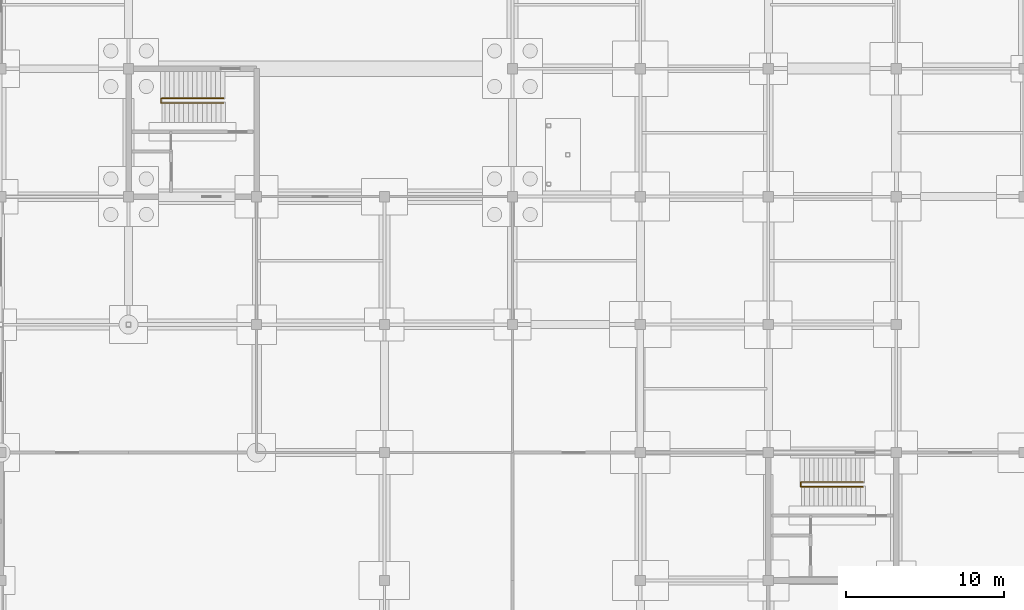
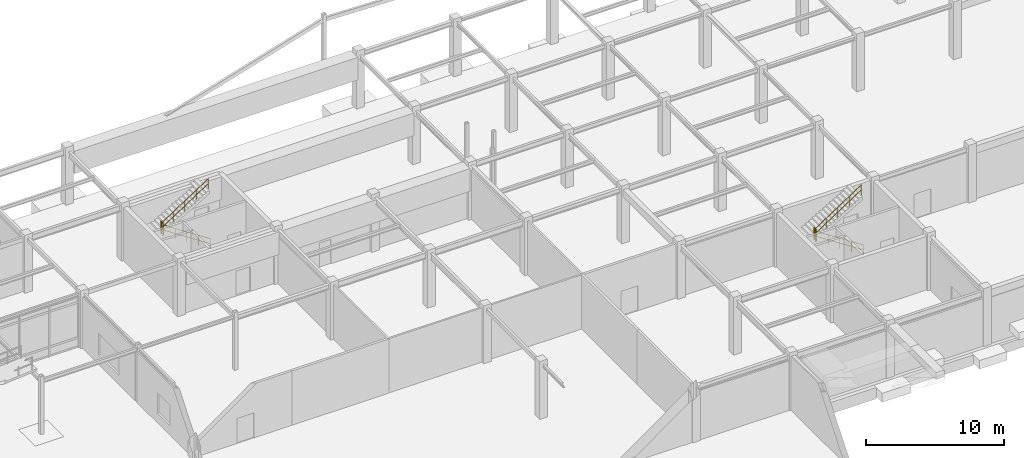
# One storey, part 60 of 67: 6 railings.
"""IFC4 building model written with IfcOpenShell, lengths in metres."""

from ifc_helpers import new_model, si_unit, direction, frame, origin, origin_2d, place, context, subcontext, project, spatial, circle, extrude, material, type_object, element, save


model = new_model("IFC4")

# Units and contexts
model_context = context("Model", 3, precision=1e-05, world=origin(), true_north=direction((0.0, 1.0)))
body_context = subcontext(model_context, "Body", "Model", "MODEL_VIEW")
ifc_project = project(units=[si_unit("LENGTHUNIT", "METRE"), si_unit("AREAUNIT", "SQUARE_METRE"), si_unit("VOLUMEUNIT", "CUBIC_METRE"), si_unit("PLANEANGLEUNIT", "RADIAN"), si_unit("MASSUNIT", "GRAM", prefix="KILO")], contexts=[model_context])

# Site, building, storey
site_placement = place(None, origin())
site = spatial("IfcSite", under=ifc_project, at=site_placement, CompositionType="ELEMENT")
building_placement = place(site_placement, origin())
building = spatial("IfcBuilding", under=site, at=building_placement, Name="Vaudrelin Polytechnic", CompositionType="ELEMENT")
storey_placement = place(building_placement, frame((0.0, 0.0, -5.10009765625)))
storey = spatial("IfcBuildingStorey", under=building, at=storey_placement, Name="B1", CompositionType="ELEMENT", Elevation=-5.10009765625)

# Railings
ifc_material = material(Name="Brushed stainless steel AISI 304", Category="steel")
railing_type_1 = type_object("IfcRailingType", Name="RAL-GR-INT", PredefinedType="GUARDRAIL", material=ifc_material)
for number, where, name in (
    (1, (50.64990234375, 38.340087890625, 2.550048828125), "ST-04-B1 landing well guardrail"),
    (2, (91.14990234375, 14.0400390625, 2.550048828125), "ST-05-B1 landing well guardrail"),
):
    element("IfcRailing", number, at=place(storey_placement, frame(where)), inside=storey, type_object=railing_type_1, Name=name, PredefinedType="GUARDRAIL", context=body_context, shape_type="SweptSolid", body=[
        extrude(circle(Radius=0.02392578125, at=origin_2d()), frame((0.0, 0.023193359375, 1.09619140625), z_axis=(0.0, 1.0, 0.0), x_axis=(-1.0, 0.0, 0.0)), (0.0, 0.0, 1.0), 0.23388671875),
        extrude(circle(Radius=0.02392578125, at=origin_2d()), frame((0.0, 0.023193359375, 0.56005859375), z_axis=(0.0, 1.0, 0.0), x_axis=(-1.0, 0.0, 0.0)), (0.0, 0.0, 1.0), 0.23388671875),
        extrude(circle(Radius=0.02099609375, at=origin_2d()), origin(), (0.0, 0.0, 1.0), 1.1201171875),
        extrude(circle(Radius=0.02099609375, at=origin_2d()), frame((0.0, 0.280029296875, 0.0)), (0.0, 0.0, 1.0), 1.1201171875),
    ])
railing_type_2 = type_object("IfcRailingType", Name="RAL-HR-STR", PredefinedType="HANDRAIL", material=ifc_material)
railing_1_placement = place(storey_placement, frame((54.60009765625, 38.330078125, 0.0)))
element("IfcRailing", 3, at=railing_1_placement, inside=storey, type_object=railing_type_2, Name="ST-04-B1 flight 1 handrail", PredefinedType="HANDRAIL", context=body_context, shape_type="SweptSolid", body=[
    extrude(circle(Radius=0.02392578125, at=origin_2d()), frame((-0.019287109375, 0.0, 0.908447265625), z_axis=(-0.836329188974, 0.0, 0.548227587476), x_axis=(0.0, -1.0, 0.0)), (0.0, 0.0, 1.0), 4.605224609375),
    extrude(circle(Radius=0.02392578125, at=origin_2d()), frame((-0.019287109375, 0.0, 0.47265625), z_axis=(-0.836329188974, 0.0, 0.548227587476), x_axis=(0.0, -1.0, 0.0)), (0.0, 0.0, 1.0), 4.605224609375),
    extrude(circle(Radius=0.02099609375, at=origin_2d()), origin(), (0.0, 0.0, 1.0), 0.919921875),
    extrude(circle(Radius=0.02099609375, at=origin_2d()), frame((-0.97265625, 0.0, 0.637451171875)), (0.0, 0.0, 1.0), 0.919921875),
    extrude(circle(Radius=0.02099609375, at=origin_2d()), frame((-1.945068359375, 0.0, 1.27490234375)), (0.0, 0.0, 1.0), 0.919921875),
    extrude(circle(Radius=0.02099609375, at=origin_2d()), frame((-2.91748046875, 0.0, 1.91259765625)), (0.0, 0.0, 1.0), 0.919921875),
    extrude(circle(Radius=0.02099609375, at=origin_2d()), frame((-3.89013671875, 0.0, 2.550048828125)), (0.0, 0.0, 1.0), 0.919921875),
])
railing_2_placement = place(storey_placement, frame((50.7099609375, 38.6298828125, 2.550048828125)))
element("IfcRailing", 4, at=railing_2_placement, inside=storey, type_object=railing_type_2, Name="ST-04-B1 flight 2 handrail", PredefinedType="HANDRAIL", context=body_context, shape_type="SweptSolid", body=[
    extrude(circle(Radius=0.02392578125, at=origin_2d()), frame((0.019287109375, 0.0, 0.908447265625), z_axis=(0.836329188974, 0.0, 0.548227587476), x_axis=(0.0, 1.0, 0.0)), (0.0, 0.0, 1.0), 4.605224609375),
    extrude(circle(Radius=0.02392578125, at=origin_2d()), frame((0.019287109375, 0.0, 0.47265625), z_axis=(0.836329188974, 0.0, 0.548227587476), x_axis=(0.0, 1.0, 0.0)), (0.0, 0.0, 1.0), 4.605224609375),
    extrude(circle(Radius=0.02099609375, at=origin_2d()), origin(), (0.0, 0.0, 1.0), 0.919921875),
    extrude(circle(Radius=0.02099609375, at=origin_2d()), frame((0.97265625, 0.0, 0.637451171875)), (0.0, 0.0, 1.0), 0.919921875),
    extrude(circle(Radius=0.02099609375, at=origin_2d()), frame((1.945068359375, 0.0, 1.27490234375)), (0.0, 0.0, 1.0), 0.919921875),
    extrude(circle(Radius=0.02099609375, at=origin_2d()), frame((2.91748046875, 0.0, 1.91259765625)), (0.0, 0.0, 1.0), 0.919921875),
    extrude(circle(Radius=0.02099609375, at=origin_2d()), frame((3.89013671875, 0.0, 2.550048828125)), (0.0, 0.0, 1.0), 0.919921875),
])
railing_3_placement = place(storey_placement, frame((95.10009765625, 14.030029296875, 0.0)))
element("IfcRailing", 5, at=railing_3_placement, inside=storey, type_object=railing_type_2, Name="ST-05-B1 flight 1 handrail", PredefinedType="HANDRAIL", context=body_context, shape_type="SweptSolid", body=[
    extrude(circle(Radius=0.02392578125, at=origin_2d()), frame((-0.019287109375, 0.0, 0.908447265625), z_axis=(-0.836329188974, 0.0, 0.548227587476), x_axis=(0.0, -1.0, 0.0)), (0.0, 0.0, 1.0), 4.605224609375),
    extrude(circle(Radius=0.02392578125, at=origin_2d()), frame((-0.019287109375, 0.0, 0.47265625), z_axis=(-0.836329188974, 0.0, 0.548227587476), x_axis=(0.0, -1.0, 0.0)), (0.0, 0.0, 1.0), 4.605224609375),
    extrude(circle(Radius=0.02099609375, at=origin_2d()), origin(), (0.0, 0.0, 1.0), 0.919921875),
    extrude(circle(Radius=0.02099609375, at=origin_2d()), frame((-0.97265625, 0.0, 0.637451171875)), (0.0, 0.0, 1.0), 0.919921875),
    extrude(circle(Radius=0.02099609375, at=origin_2d()), frame((-1.945068359375, 0.0, 1.27490234375)), (0.0, 0.0, 1.0), 0.919921875),
    extrude(circle(Radius=0.02099609375, at=origin_2d()), frame((-2.91748046875, 0.0, 1.91259765625)), (0.0, 0.0, 1.0), 0.919921875),
    extrude(circle(Radius=0.02099609375, at=origin_2d()), frame((-3.89013671875, 0.0, 2.550048828125)), (0.0, 0.0, 1.0), 0.919921875),
])
railing_4_placement = place(storey_placement, frame((91.2099609375, 14.330078125, 2.550048828125)))
element("IfcRailing", 6, at=railing_4_placement, inside=storey, type_object=railing_type_2, Name="ST-05-B1 flight 2 handrail", PredefinedType="HANDRAIL", context=body_context, shape_type="SweptSolid", body=[
    extrude(circle(Radius=0.02392578125, at=origin_2d()), frame((0.019287109375, 0.0, 0.908447265625), z_axis=(0.836329188974, 0.0, 0.548227587476), x_axis=(0.0, 1.0, 0.0)), (0.0, 0.0, 1.0), 4.605224609375),
    extrude(circle(Radius=0.02392578125, at=origin_2d()), frame((0.019287109375, 0.0, 0.47265625), z_axis=(0.836329188974, 0.0, 0.548227587476), x_axis=(0.0, 1.0, 0.0)), (0.0, 0.0, 1.0), 4.605224609375),
    extrude(circle(Radius=0.02099609375, at=origin_2d()), origin(), (0.0, 0.0, 1.0), 0.919921875),
    extrude(circle(Radius=0.02099609375, at=origin_2d()), frame((0.97265625, 0.0, 0.637451171875)), (0.0, 0.0, 1.0), 0.919921875),
    extrude(circle(Radius=0.02099609375, at=origin_2d()), frame((1.945068359375, 0.0, 1.27490234375)), (0.0, 0.0, 1.0), 0.919921875),
    extrude(circle(Radius=0.02099609375, at=origin_2d()), frame((2.91748046875, 0.0, 1.91259765625)), (0.0, 0.0, 1.0), 0.919921875),
    extrude(circle(Radius=0.02099609375, at=origin_2d()), frame((3.89013671875, 0.0, 2.550048828125)), (0.0, 0.0, 1.0), 0.919921875),
])

save(model, "model.ifc")
